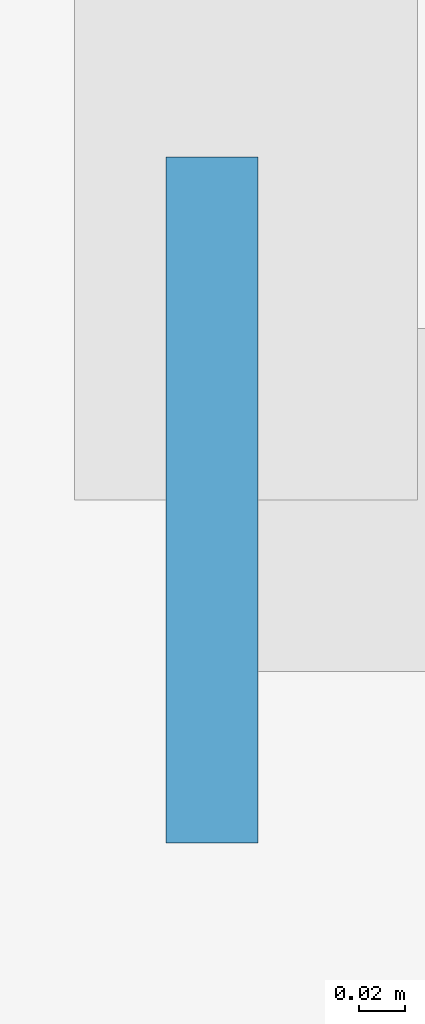
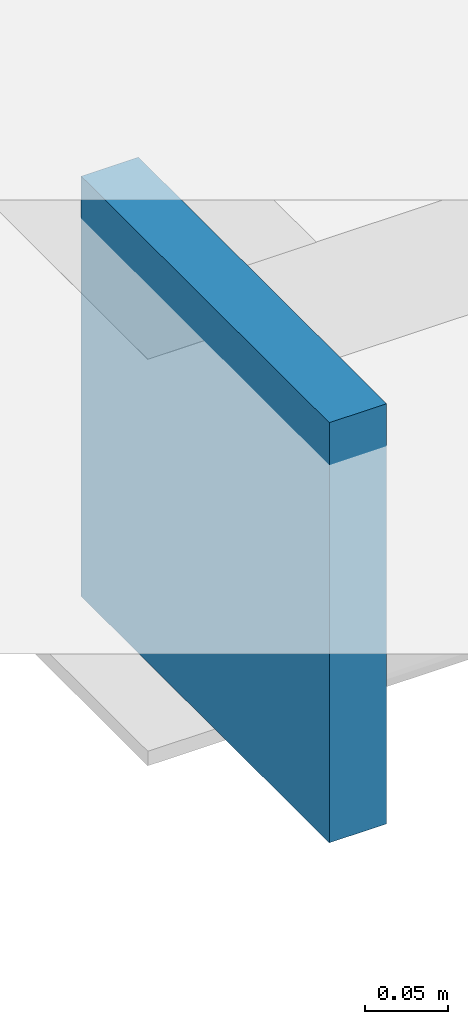
# One storey, part 17 of 25: 1 plate.
"""IFC4 building model written with IfcOpenShell, lengths in metres."""

from ifc_helpers import new_model, si_unit, direction, frame, origin, origin_2d, place, context, subcontext, project, spatial, rectangle, extrude, material, layer, layer_set, type_object, element, save


model = new_model("IFC4")

# Units and contexts
model_context = context("Model", 3, precision=1e-05, world=origin(), true_north=direction((0.0, 1.0)))
body_context = subcontext(model_context, "Body", "Model", "MODEL_VIEW")
ifc_project = project(units=[si_unit("LENGTHUNIT", "METRE"), si_unit("AREAUNIT", "SQUARE_METRE"), si_unit("VOLUMEUNIT", "CUBIC_METRE"), si_unit("PLANEANGLEUNIT", "RADIAN"), si_unit("MASSUNIT", "GRAM", prefix="KILO"), si_unit("THERMODYNAMICTEMPERATUREUNIT", "KELVIN"), si_unit("POWERUNIT", "WATT")], contexts=[model_context])

# Site, building, storey
site_placement = place(None, origin())
site = spatial("IfcSite", under=ifc_project, at=site_placement, CompositionType="ELEMENT")
building_placement = place(site_placement, origin())
building = spatial("IfcBuilding", under=site, at=building_placement, Name="Svarakhadi Broadcast Tower", CompositionType="ELEMENT")
storey_placement = place(building_placement, frame((0.0, 0.0, 216.14990234375)))
storey = spatial("IfcBuildingStorey", under=building, at=storey_placement, Name="L53", CompositionType="ELEMENT", Elevation=216.14990234375)

# Plate
ifc_material = material(Name="Steel S460ML (IS 2062 E450BR)", Category="steel")
ifc_layer = layer(ifc_material, 0.028076171875)
ifc_layer_set = layer_set([ifc_layer], Name="Steel S460ML (IS 2062 E450BR)")
plate_type = type_object("IfcPlateType", Name="Cap_Plate_CP02", PredefinedType="USERDEFINED", material=ifc_layer_set)
plate_placement = place(storey_placement, frame((29.985107421875, -1.800048828125, -0.5048828125), z_axis=(0.0, 0.0, 1.0), x_axis=(1.0, 0.0, 0.0)))
element("IfcPlate", 1, at=plate_placement, inside=storey, type_object=plate_type, Name="L53 Balcony Spandrel End Cap Plate 1F-A", ObjectType="FLANGE_PLATE", PredefinedType="USERDEFINED", context=body_context, shape_type="SweptSolid", body=[
    extrude(rectangle(XDim=0.0400390625, YDim=0.300048828125, at=origin_2d()), origin(), (0.0, 0.0, 1.0), 0.31005859375),
])

save(model, "model.ifc")
